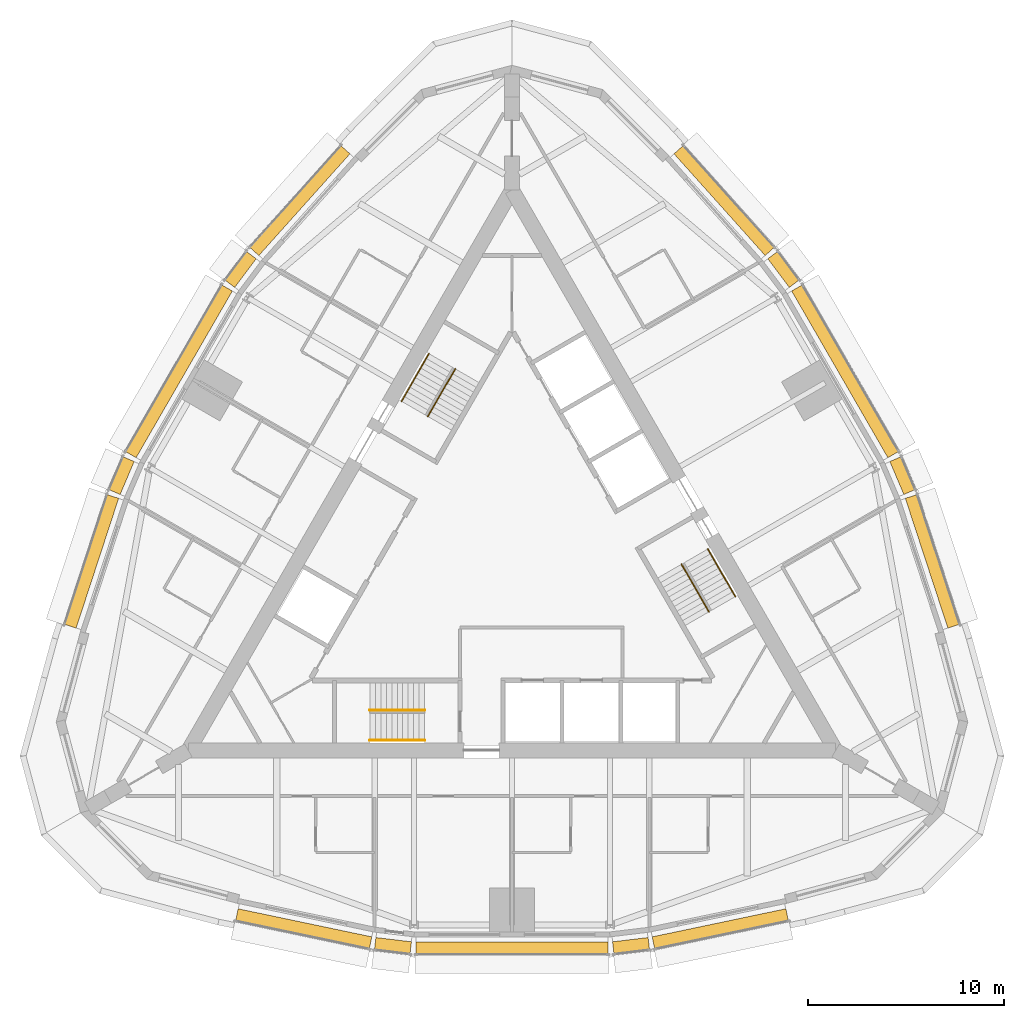
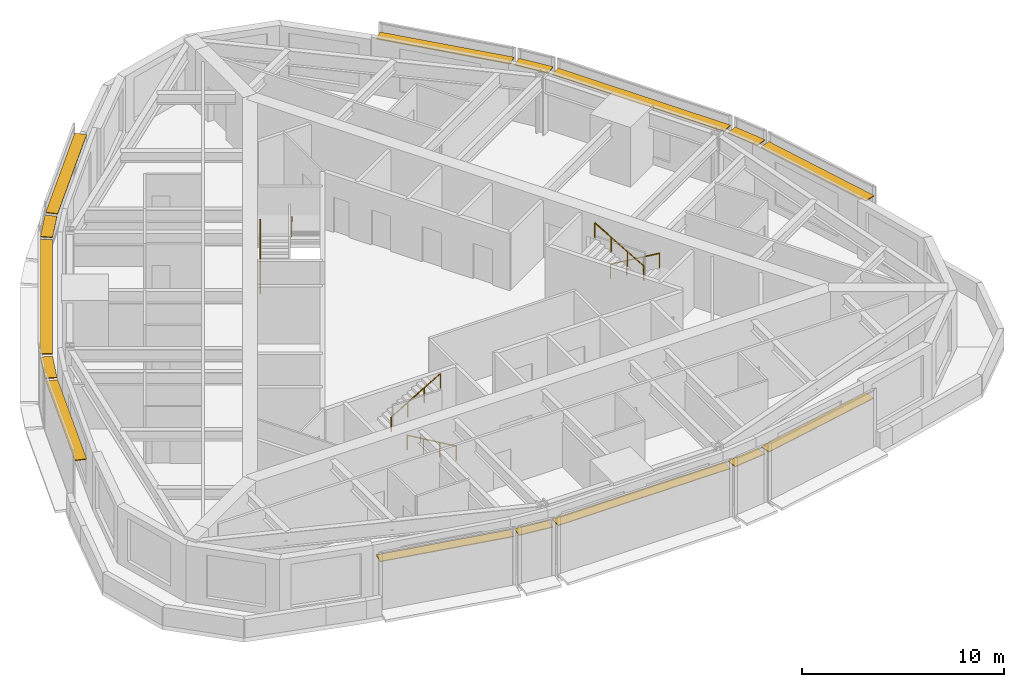
# One storey, part 13 of 13: 15 shading devices, 6 railings.
"""IFC4 building model written with IfcOpenShell, lengths in metres."""

from ifc_helpers import new_model, si_unit, direction, frame, origin, origin_2d, place, context, subcontext, project, spatial, rectangle, circle, extrude, material, type_object, element, save


model = new_model("IFC4")

# Units and contexts
model_context = context("Model", 3, precision=1e-05, world=origin(), true_north=direction((0.0, 1.0)))
body_context = subcontext(model_context, "Body", "Model", "MODEL_VIEW")
ifc_project = project(units=[si_unit("LENGTHUNIT", "METRE"), si_unit("AREAUNIT", "SQUARE_METRE"), si_unit("VOLUMEUNIT", "CUBIC_METRE"), si_unit("PLANEANGLEUNIT", "RADIAN"), si_unit("MASSUNIT", "GRAM", prefix="KILO")], contexts=[model_context])

# Site, building, storey
site_placement = place(None, origin())
site = spatial("IfcSite", under=ifc_project, at=site_placement, CompositionType="ELEMENT")
building_placement = place(site_placement, origin())
building = spatial("IfcBuilding", under=site, at=building_placement, Name="Trikona Tower", CompositionType="ELEMENT")
storey_placement = place(building_placement, frame((0.0, 0.0, 239.300048828125)))
storey = spatial("IfcBuildingStorey", under=building, at=storey_placement, Name="L63", CompositionType="ELEMENT", Elevation=239.300048828125)

# Shading devices
ifc_material_1 = material(Name="Aluminium louvre blade, pale anodised", Category="aluminium")
shading_device_type = type_object("IfcShadingDeviceType", Name="Cavity louvre 600", PredefinedType="USERDEFINED", material=ifc_material_1)
shading_device_1_placement = place(storey_placement, frame((-10.6162109375, -18.6083984375, 2.97509765625), z_axis=(0.0, 0.0, 1.0), x_axis=(0.97865342171, -0.205517590916, 0.0)))
element("IfcShadingDevice", 1, at=shading_device_1_placement, inside=storey, type_object=shading_device_type, Name="Cavity louvre L63-00", ObjectType="LOUVRE", PredefinedType="USERDEFINED", context=body_context, shape_type="SweptSolid", body=[
    extrude(rectangle(XDim=6.962646484375, YDim=0.60009765625, at=origin_2d()), origin(), (0.0, 0.0, 1.0), 0.050048828125),
])
shading_device_2_placement = place(storey_placement, frame((-6.0673828125, -19.471435546875, 2.97509765625), z_axis=(0.0, 0.0, 1.0), x_axis=(0.992876783199, -0.11914568135, 0.0)))
element("IfcShadingDevice", 2, at=shading_device_2_placement, inside=storey, type_object=shading_device_type, Name="Cavity louvre L63-01", ObjectType="LOUVRE", PredefinedType="USERDEFINED", context=body_context, shape_type="SweptSolid", body=[
    extrude(rectangle(XDim=1.82421875, YDim=0.60009765625, at=origin_2d()), origin(), (0.0, 0.0, 1.0), 0.050048828125),
])
shading_device_3_placement = place(storey_placement, frame((0.0, -19.595458984375, 2.97509765625), z_axis=(0.0, 0.0, 1.0), x_axis=(1.0, 0.0, 0.0)))
element("IfcShadingDevice", 3, at=shading_device_3_placement, inside=storey, type_object=shading_device_type, Name="Cavity louvre L63-02", ObjectType="LOUVRE", PredefinedType="USERDEFINED", context=body_context, shape_type="SweptSolid", body=[
    extrude(rectangle(XDim=9.81005859375, YDim=0.60009765625, at=origin_2d()), origin(), (0.0, 0.0, 1.0), 0.050048828125),
])
shading_device_4_placement = place(storey_placement, frame((6.0673828125, -19.471435546875, 2.97509765625), z_axis=(0.0, 0.0, 1.0), x_axis=(0.992876783199, 0.11914568135, 0.0)))
element("IfcShadingDevice", 4, at=shading_device_4_placement, inside=storey, type_object=shading_device_type, Name="Cavity louvre L63-03", ObjectType="LOUVRE", PredefinedType="USERDEFINED", context=body_context, shape_type="SweptSolid", body=[
    extrude(rectangle(XDim=1.82421875, YDim=0.60009765625, at=origin_2d()), origin(), (0.0, 0.0, 1.0), 0.050048828125),
])
for number, where, z_axis, x_axis, name in (
    (5, (10.6162109375, -18.6083984375, 2.97509765625), (0.0, 0.0, 1.0), (0.97865342171, 0.205517590916, 0.0), "Cavity louvre L63-04"),
    (6, (21.423583984375, 0.1103515625, 2.97509765625), (0.0, 0.0, 1.0), (-0.311336621861, 0.950299693722, 0.0), "Cavity louvre L63-09"),
):
    element("IfcShadingDevice", number, at=place(storey_placement, frame(where, z_axis=z_axis, x_axis=x_axis)), inside=storey, type_object=shading_device_type, Name=name, ObjectType="LOUVRE", PredefinedType="USERDEFINED", context=body_context, shape_type="SweptSolid", body=[
        extrude(rectangle(XDim=6.962646484375, YDim=0.60009765625, at=origin_2d()), origin(), (0.0, 0.0, 1.0), 0.050048828125),
    ])
shading_device_5_placement = place(storey_placement, frame((19.896484375, 4.481201171875, 2.97509765625), z_axis=(0.0, 0.0, 1.0), x_axis=(-0.39328408933, 0.919417002823, 0.0)))
element("IfcShadingDevice", 7, at=shading_device_5_placement, inside=storey, type_object=shading_device_type, Name="Cavity louvre L63-10", ObjectType="LOUVRE", PredefinedType="USERDEFINED", context=body_context, shape_type="SweptSolid", body=[
    extrude(rectangle(XDim=1.82421875, YDim=0.60009765625, at=origin_2d()), origin(), (0.0, 0.0, 1.0), 0.050048828125),
])
shading_device_6_placement = place(storey_placement, frame((16.97021484375, 9.797607421875, 2.97509765625), z_axis=(0.0, 0.0, 1.0), x_axis=(-0.4999984885, 0.866026276448, 0.0)))
element("IfcShadingDevice", 8, at=shading_device_6_placement, inside=storey, type_object=shading_device_type, Name="Cavity louvre L63-11", ObjectType="LOUVRE", PredefinedType="USERDEFINED", context=body_context, shape_type="SweptSolid", body=[
    extrude(rectangle(XDim=9.81005859375, YDim=0.60009765625, at=origin_2d()), origin(), (0.0, 0.0, 1.0), 0.050048828125),
])
shading_device_7_placement = place(storey_placement, frame((13.8291015625, 14.990234375, 2.97509765625), z_axis=(0.0, 0.0, 1.0), x_axis=(-0.599618784879, 0.800285769472, 0.0)))
element("IfcShadingDevice", 9, at=shading_device_7_placement, inside=storey, type_object=shading_device_type, Name="Cavity louvre L63-12", ObjectType="LOUVRE", PredefinedType="USERDEFINED", context=body_context, shape_type="SweptSolid", body=[
    extrude(rectangle(XDim=1.82421875, YDim=0.60009765625, at=origin_2d()), origin(), (0.0, 0.0, 1.0), 0.050048828125),
])
for number, where, z_axis, x_axis, name in (
    (10, (10.807373046875, 18.498046875, 2.97509765625), (0.0, 0.0, 1.0), (-0.667311465398, 0.744778764566, 0.0), "Cavity louvre L63-13"),
    (11, (-10.807373046875, 18.498046875, 2.97509765625), (0.0, 0.0, 1.0), (-0.667311465398, -0.744778764566, 0.0), "Cavity louvre L63-18"),
):
    element("IfcShadingDevice", number, at=place(storey_placement, frame(where, z_axis=z_axis, x_axis=x_axis)), inside=storey, type_object=shading_device_type, Name=name, ObjectType="LOUVRE", PredefinedType="USERDEFINED", context=body_context, shape_type="SweptSolid", body=[
        extrude(rectangle(XDim=6.962646484375, YDim=0.60009765625, at=origin_2d()), origin(), (0.0, 0.0, 1.0), 0.050048828125),
    ])
shading_device_8_placement = place(storey_placement, frame((-13.8291015625, 14.990234375, 2.97509765625), z_axis=(0.0, 0.0, 1.0), x_axis=(-0.599618784879, -0.800285769472, 0.0)))
element("IfcShadingDevice", 12, at=shading_device_8_placement, inside=storey, type_object=shading_device_type, Name="Cavity louvre L63-19", ObjectType="LOUVRE", PredefinedType="USERDEFINED", context=body_context, shape_type="SweptSolid", body=[
    extrude(rectangle(XDim=1.82421875, YDim=0.60009765625, at=origin_2d()), origin(), (0.0, 0.0, 1.0), 0.050048828125),
])
shading_device_9_placement = place(storey_placement, frame((-16.97021484375, 9.797607421875, 2.97509765625), z_axis=(0.0, 0.0, 1.0), x_axis=(-0.4999984885, -0.866026276448, 0.0)))
element("IfcShadingDevice", 13, at=shading_device_9_placement, inside=storey, type_object=shading_device_type, Name="Cavity louvre L63-20", ObjectType="LOUVRE", PredefinedType="USERDEFINED", context=body_context, shape_type="SweptSolid", body=[
    extrude(rectangle(XDim=9.81005859375, YDim=0.60009765625, at=origin_2d()), origin(), (0.0, 0.0, 1.0), 0.050048828125),
])
shading_device_10_placement = place(storey_placement, frame((-19.896484375, 4.481201171875, 2.97509765625), z_axis=(0.0, 0.0, 1.0), x_axis=(-0.39328408933, -0.919417002823, 0.0)))
element("IfcShadingDevice", 14, at=shading_device_10_placement, inside=storey, type_object=shading_device_type, Name="Cavity louvre L63-21", ObjectType="LOUVRE", PredefinedType="USERDEFINED", context=body_context, shape_type="SweptSolid", body=[
    extrude(rectangle(XDim=1.82421875, YDim=0.60009765625, at=origin_2d()), origin(), (0.0, 0.0, 1.0), 0.050048828125),
])
shading_device_11_placement = place(storey_placement, frame((-21.423583984375, 0.1103515625, 2.97509765625), z_axis=(0.0, 0.0, 1.0), x_axis=(-0.311336621861, -0.950299693722, 0.0)))
element("IfcShadingDevice", 15, at=shading_device_11_placement, inside=storey, type_object=shading_device_type, Name="Cavity louvre L63-22", ObjectType="LOUVRE", PredefinedType="USERDEFINED", context=body_context, shape_type="SweptSolid", body=[
    extrude(rectangle(XDim=6.962646484375, YDim=0.60009765625, at=origin_2d()), origin(), (0.0, 0.0, 1.0), 0.050048828125),
])

# Railings
ifc_material_2 = material(Name="Stainless steel handrail", Category="steel")
railing_type = type_object("IfcRailingType", Name="Stair handrail", PredefinedType="HANDRAIL", material=ifc_material_2)
railing_1_placement = place(storey_placement, frame((-4.449951171875, -9.016357421875, 0.16357421875)))
element("IfcRailing", 16, at=railing_1_placement, inside=storey, type_object=railing_type, Name="Stair handrail A L63 1", PredefinedType="HANDRAIL", context=body_context, shape_type="SweptSolid", body=[
    extrude(circle(Radius=0.02392578125, at=origin_2d()), frame((0.0, 0.0, 0.8759765625), z_axis=(-0.863360870873, 0.0, 0.504586966384), x_axis=(0.0, -1.0, 0.0)), (0.0, 0.0, 1.0), 3.2431640625),
    extrude(circle(Radius=0.02099609375, at=origin_2d()), origin(), (0.0, 0.0, 1.0), 0.851806640625),
    extrude(circle(Radius=0.02099609375, at=origin_2d()), frame((-0.933349609375, 0.0, 0.54541015625)), (0.0, 0.0, 1.0), 0.851806640625),
    extrude(circle(Radius=0.02099609375, at=origin_2d()), frame((-1.86669921875, 0.0, 1.091064453125)), (0.0, 0.0, 1.0), 0.851806640625),
    extrude(circle(Radius=0.02099609375, at=origin_2d()), frame((-2.800048828125, 0.0, 1.636474609375)), (0.0, 0.0, 1.0), 0.851806640625),
])
railing_2_placement = place(storey_placement, frame((-7.25, -7.46630859375, 1.963623046875)))
element("IfcRailing", 17, at=railing_2_placement, inside=storey, type_object=railing_type, Name="Stair handrail A L63 2", PredefinedType="HANDRAIL", context=body_context, shape_type="SweptSolid", body=[
    extrude(circle(Radius=0.02392578125, at=origin_2d()), frame((0.0, 0.0, 0.8759765625), z_axis=(0.863393664356, 0.0, 0.504530851732), x_axis=(0.0, 1.0, 0.0)), (0.0, 0.0, 1.0), 3.2431640625),
    extrude(circle(Radius=0.02099609375, at=origin_2d()), origin(), (0.0, 0.0, 1.0), 0.851806640625),
    extrude(circle(Radius=0.02099609375, at=origin_2d()), frame((0.933349609375, 0.0, 0.54541015625)), (0.0, 0.0, 1.0), 0.851806640625),
    extrude(circle(Radius=0.02099609375, at=origin_2d()), frame((1.86669921875, 0.0, 1.0908203125)), (0.0, 0.0, 1.0), 0.851806640625),
    extrude(circle(Radius=0.02099609375, at=origin_2d()), frame((2.800048828125, 0.0, 1.63623046875)), (0.0, 0.0, 1.0), 0.851806640625),
])
railing_3_placement = place(storey_placement, frame((9.9833984375, 0.740966796875, 0.16357421875)))
element("IfcRailing", 18, at=railing_3_placement, inside=storey, type_object=railing_type, Name="Stair handrail B L63 1", PredefinedType="HANDRAIL", context=body_context, shape_type="SweptSolid", body=[
    extrude(circle(Radius=0.02392578125, at=origin_2d()), frame((0.0, 0.0, 0.8759765625), z_axis=(0.431636334334, -0.747723004699, 0.504579412111), x_axis=(0.866056369097, 0.49994636267, 0.0)), (0.0, 0.0, 1.0), 3.2431640625),
    extrude(circle(Radius=0.02099609375, at=origin_2d()), origin(), (0.0, 0.0, 1.0), 0.851806640625),
    extrude(circle(Radius=0.02099609375, at=origin_2d()), frame((0.466552734375, -0.808349609375, 0.54541015625)), (0.0, 0.0, 1.0), 0.851806640625),
    extrude(circle(Radius=0.02099609375, at=origin_2d()), frame((0.933349609375, -1.61669921875, 1.091064453125)), (0.0, 0.0, 1.0), 0.851806640625),
    extrude(circle(Radius=0.02099609375, at=origin_2d()), frame((1.39990234375, -2.425048828125, 1.636474609375)), (0.0, 0.0, 1.0), 0.851806640625),
])
railing_4_placement = place(storey_placement, frame((10.041015625, -2.458984375, 1.963623046875)))
element("IfcRailing", 19, at=railing_4_placement, inside=storey, type_object=railing_type, Name="Stair handrail B L63 2", PredefinedType="HANDRAIL", context=body_context, shape_type="SweptSolid", body=[
    extrude(circle(Radius=0.02392578125, at=origin_2d()), frame((0.0, 0.0, 0.8759765625), z_axis=(-0.43165272891, 0.747751404999, 0.504523297725), x_axis=(-0.866056369097, -0.49994636267, 0.0)), (0.0, 0.0, 1.0), 3.2431640625),
    extrude(circle(Radius=0.02099609375, at=origin_2d()), origin(), (0.0, 0.0, 1.0), 0.851806640625),
    extrude(circle(Radius=0.02099609375, at=origin_2d()), frame((-0.466552734375, 0.808349609375, 0.54541015625)), (0.0, 0.0, 1.0), 0.851806640625),
    extrude(circle(Radius=0.02099609375, at=origin_2d()), frame((-0.933349609375, 1.61669921875, 1.0908203125)), (0.0, 0.0, 1.0), 0.851806640625),
    extrude(circle(Radius=0.02099609375, at=origin_2d()), frame((-1.39990234375, 2.425048828125, 1.63623046875)), (0.0, 0.0, 1.0), 0.851806640625),
])
railing_5_placement = place(storey_placement, frame((-5.63330078125, 8.275390625, 0.16357421875)))
element("IfcRailing", 20, at=railing_5_placement, inside=storey, type_object=railing_type, Name="Stair handrail C L63 1", PredefinedType="HANDRAIL", context=body_context, shape_type="SweptSolid", body=[
    extrude(circle(Radius=0.02392578125, at=origin_2d()), frame((0.0, 0.0, 0.8759765625), z_axis=(0.431660630283, 0.747689811644, 0.504607813879), x_axis=(-0.866034573852, 0.49998411664, 0.0)), (0.0, 0.0, 1.0), 3.2431640625),
    extrude(circle(Radius=0.02099609375, at=origin_2d()), origin(), (0.0, 0.0, 1.0), 0.851806640625),
    extrude(circle(Radius=0.02099609375, at=origin_2d()), frame((0.466552734375, 0.808349609375, 0.54541015625)), (0.0, 0.0, 1.0), 0.851806640625),
    extrude(circle(Radius=0.02099609375, at=origin_2d()), frame((0.933349609375, 1.616455078125, 1.091064453125)), (0.0, 0.0, 1.0), 0.851806640625),
    extrude(circle(Radius=0.02099609375, at=origin_2d()), frame((1.39990234375, 2.4248046875, 1.636474609375)), (0.0, 0.0, 1.0), 0.851806640625),
])
railing_6_placement = place(storey_placement, frame((-2.89111328125, 9.92529296875, 1.963623046875)))
element("IfcRailing", 21, at=railing_6_placement, inside=storey, type_object=railing_type, Name="Stair handrail C L63 2", PredefinedType="HANDRAIL", context=body_context, shape_type="SweptSolid", body=[
    extrude(circle(Radius=0.02392578125, at=origin_2d()), frame((0.0, 0.0, 0.8759765625), z_axis=(-0.43165272891, -0.747751404999, 0.504523297725), x_axis=(0.866056369097, -0.49994636267, 0.0)), (0.0, 0.0, 1.0), 3.2431640625),
    extrude(circle(Radius=0.02099609375, at=origin_2d()), origin(), (0.0, 0.0, 1.0), 0.851806640625),
    extrude(circle(Radius=0.02099609375, at=origin_2d()), frame((-0.466552734375, -0.808349609375, 0.54541015625)), (0.0, 0.0, 1.0), 0.851806640625),
    extrude(circle(Radius=0.02099609375, at=origin_2d()), frame((-0.933349609375, -1.61669921875, 1.0908203125)), (0.0, 0.0, 1.0), 0.851806640625),
    extrude(circle(Radius=0.02099609375, at=origin_2d()), frame((-1.39990234375, -2.425048828125, 1.63623046875)), (0.0, 0.0, 1.0), 0.851806640625),
])

save(model, "model.ifc")
